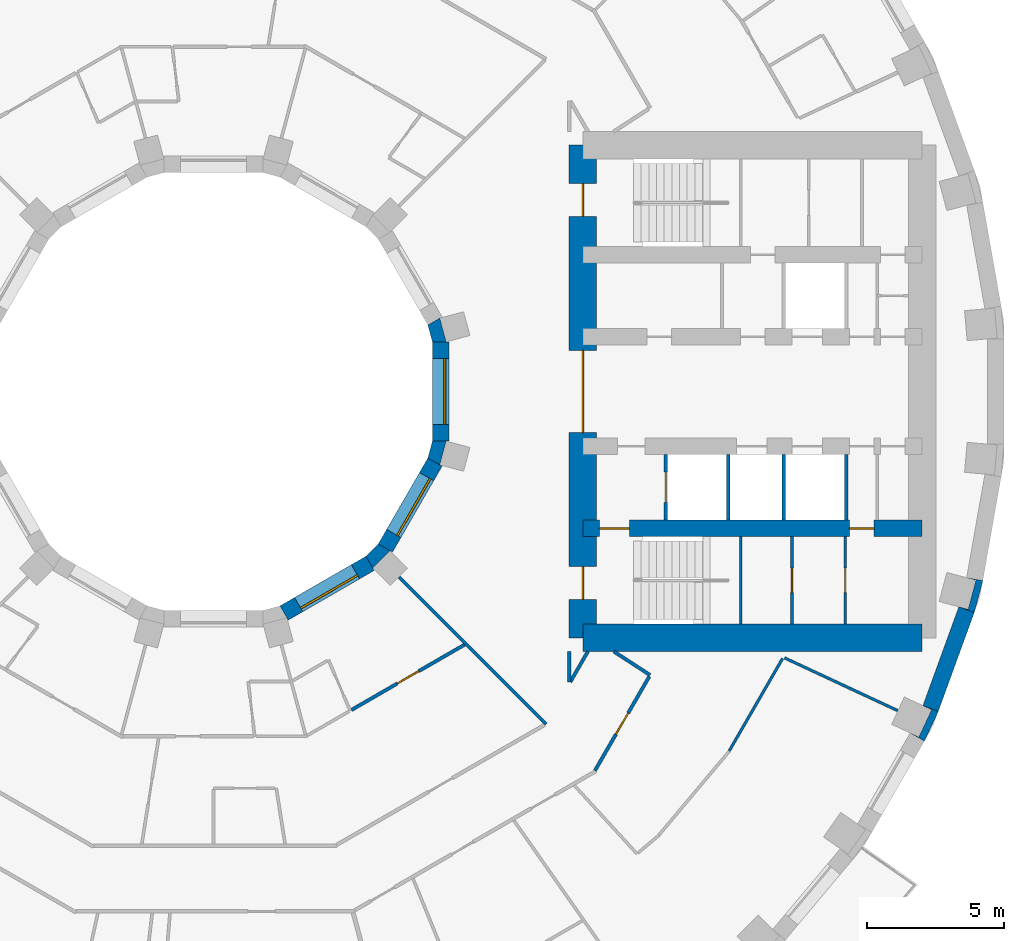
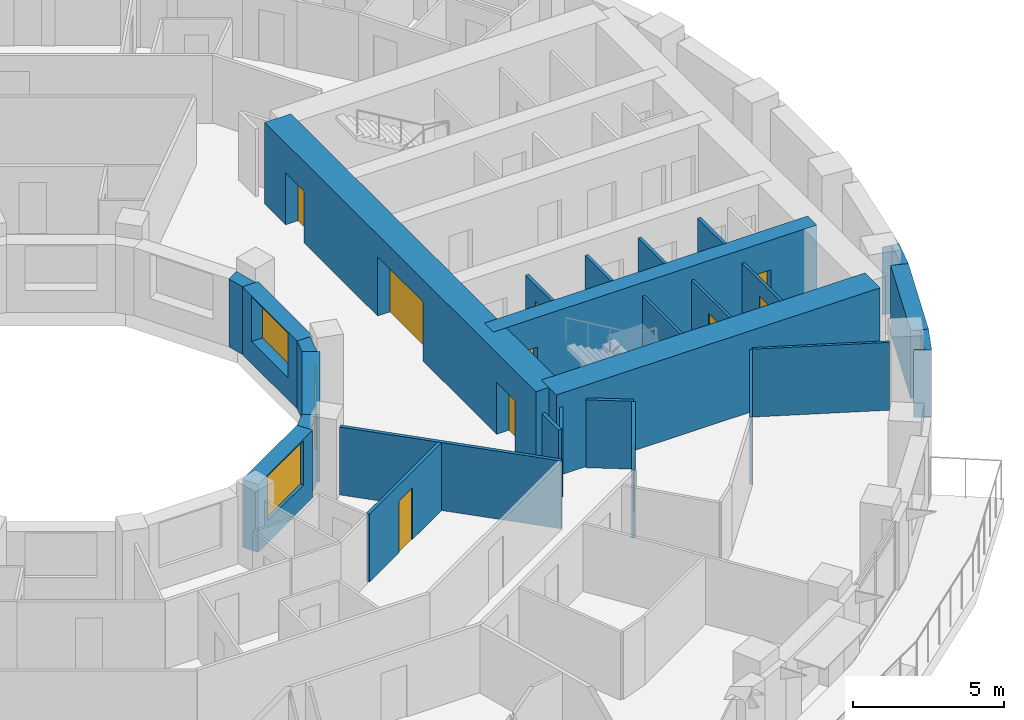
# One storey, part 9 of 17: 27 walls, 10 doors, 3 windows, 13 openings.
"""IFC4 building model written with IfcOpenShell, lengths in metres."""

from ifc_helpers import new_model, si_unit, direction, frame, frame_2d, origin, place, context, subcontext, project, spatial, polyline, rectangle, outline, extrude, material, layer, layer_set, type_object, element, fill, save


model = new_model("IFC4")

# Units and contexts
model_context = context("Model", 3, precision=1e-05, world=origin(), true_north=direction((0.0, 1.0)))
body_context = subcontext(model_context, "Body", "Model", "MODEL_VIEW")
ifc_project = project(units=[si_unit("LENGTHUNIT", "METRE"), si_unit("AREAUNIT", "SQUARE_METRE"), si_unit("VOLUMEUNIT", "CUBIC_METRE"), si_unit("PLANEANGLEUNIT", "RADIAN"), si_unit("MASSUNIT", "GRAM", prefix="KILO")], contexts=[model_context])

# Site, building, storey
site_placement = place(None, origin())
site = spatial("IfcSite", under=ifc_project, at=site_placement, CompositionType="ELEMENT")
building_placement = place(site_placement, origin())
building = spatial("IfcBuilding", under=site, at=building_placement, Name="Saqina Gate Tower", CompositionType="ELEMENT")
storey_placement = place(building_placement, frame((0.0, 0.0, 29.60009765625)))
storey = spatial("IfcBuildingStorey", under=building, at=storey_placement, Name="L07", CompositionType="ELEMENT", Elevation=29.60009765625)

# Walls
ifc_material_1 = material(Name="Brick masonry (red)", Category="masonry")
wall_type_1 = type_object("IfcWallType", Name="BRICK PIER COPING RED", PredefinedType="SOLIDWALL", material=ifc_material_1)
wall_1_placement = place(storey_placement, origin())
element("IfcWall", 1, at=wall_1_placement, inside=storey, type_object=wall_type_1, Name="Pier cap L07 column 34", PredefinedType="SOLIDWALL", context=body_context, shape_type="SweptSolid", body=[
    extrude(outline(polyline([(26.48974609375, -11.687744140625), (25.92578125, -11.482666015625), (26.243408203125, -11.630615234375), (25.778564453125, -12.627685546875), (25.4609375, -12.4794921875), (25.980712890625, -12.779541015625), (26.48974609375, -11.687744140625)])), origin(), (0.0, 0.0, 1.0), 2.75),
])
wall_2_placement = place(storey_placement, origin())
element("IfcWall", 2, at=wall_2_placement, inside=storey, type_object=wall_type_1, Name="Pier cap L07 column 35", PredefinedType="SOLIDWALL", context=body_context, shape_type="SweptSolid", body=[
    extrude(outline(polyline([(28.11669921875, -6.910400390625), (27.52587890625, -6.80615234375), (27.864501953125, -6.896728515625), (27.57958984375, -7.95947265625), (27.2412109375, -7.86865234375), (27.80517578125, -8.073974609375), (28.11669921875, -6.910400390625)])), origin(), (0.0, 0.0, 1.0), 2.75),
])

# Wall, opening, door
ifc_material_2 = material(Name="Gypsum board on steel studs", Category="steel")
ifc_layer_1 = layer(ifc_material_2, 0.10009765625)
ifc_layer_set_1 = layer_set([ifc_layer_1], Name="CORE PARTITION")
wall_type_2 = type_object("IfcWallType", Name="CORE PARTITION", PredefinedType="PARTITIONING", material=ifc_layer_set_1)
wall_3_placement = place(storey_placement, frame((21.14404296875, -8.5, 0.0), z_axis=(0.0, 0.0, 1.0), x_axis=(0.0, 1.0, 0.0)))
wall_3 = element("IfcWall", 3, at=wall_3_placement, inside=storey, type_object=wall_type_2, Name="L07-CP-E15", PredefinedType="PARTITIONING", context=body_context, shape_type="SweptSolid", body=[
    extrude(rectangle(XDim=3.199951171875, YDim=0.10009765625, at=frame_2d((1.60009765625, 0.0))), origin(), (0.0, 0.0, 1.0), 2.75),
])
opening_1_placement = place(wall_3_placement, frame((1.14990234375, 0.0, 0.0)))
opening_1 = element("IfcOpeningElement", 4, at=opening_1_placement, cuts=wall_3, Name="Opening G01-D129", PredefinedType="OPENING", context=body_context, shape_type="SweptSolid", body=[
    extrude(rectangle(XDim=0.89990234375, YDim=2.10009765625, at=frame_2d((0.449951171875, 1.050048828125))), frame((0.0, 0.06201171875, 0.0), z_axis=(0.0, -1.0, 0.0), x_axis=(1.0, 0.0, 0.0)), (0.0, 0.0, 1.0), 0.1240234375),
])
ifc_material_3 = material(Name="Steel-framed fire door leaf, EI 60", Category="steel")
door_type_1 = type_object("IfcDoorType", Name="SERVICE ROOM DOOR 900", OperationType="SINGLE_SWING_LEFT", PredefinedType="DOOR", material=ifc_material_3)
door_1_placement = place(opening_1_placement, frame((0.89990234375, 0.0, 0.0), z_axis=(0.0, 0.0, 1.0), x_axis=(-1.0, 0.0, 0.0)))
door_1 = element("IfcDoor", 5, at=door_1_placement, inside=storey, type_object=door_type_1, Name="L07-CD-E13", OperationType="SINGLE_SWING_RIGHT", OverallHeight=2.10009765625, OverallWidth=0.89990234375, PredefinedType="DOOR", context=body_context, shape_type="SweptSolid", body=[
    extrude(rectangle(XDim=0.89990234375, YDim=2.10009765625, at=frame_2d((0.449951171875, 1.050048828125))), frame((0.0, 0.02490234375, 0.0), z_axis=(0.0, -1.0, 0.0), x_axis=(1.0, 0.0, 0.0)), (0.0, 0.0, 1.0), 0.050048828125),
])
fill(opening_1, door_1)

wall_4_placement = place(storey_placement, frame((23.089599609375, -8.5, 0.0), z_axis=(0.0, 0.0, 1.0), x_axis=(0.0, 1.0, 0.0)))
wall_4 = element("IfcWall", 6, at=wall_4_placement, inside=storey, type_object=wall_type_2, Name="L07-CP-E16", PredefinedType="PARTITIONING", context=body_context, shape_type="SweptSolid", body=[
    extrude(rectangle(XDim=3.199951171875, YDim=0.10009765625, at=frame_2d((1.60009765625, 0.0))), origin(), (0.0, 0.0, 1.0), 2.75),
])
opening_2_placement = place(wall_4_placement, frame((1.14990234375, 0.0, 0.0)))
opening_2 = element("IfcOpeningElement", 7, at=opening_2_placement, cuts=wall_4, Name="Opening G01-D128", PredefinedType="OPENING", context=body_context, shape_type="SweptSolid", body=[
    extrude(rectangle(XDim=0.89990234375, YDim=2.10009765625, at=frame_2d((0.449951171875, 1.050048828125))), frame((0.0, 0.06201171875, 0.0), z_axis=(0.0, -1.0, 0.0), x_axis=(1.0, 0.0, 0.0)), (0.0, 0.0, 1.0), 0.1240234375),
])
door_2_placement = place(opening_2_placement, frame((0.89990234375, 0.0, 0.0), z_axis=(0.0, 0.0, 1.0), x_axis=(-1.0, 0.0, 0.0)))
door_2 = element("IfcDoor", 8, at=door_2_placement, inside=storey, type_object=door_type_1, Name="L07-CD-E12", OperationType="SINGLE_SWING_RIGHT", OverallHeight=2.10009765625, OverallWidth=0.89990234375, PredefinedType="DOOR", context=body_context, shape_type="SweptSolid", body=[
    extrude(rectangle(XDim=0.89990234375, YDim=2.10009765625, at=frame_2d((0.449951171875, 1.050048828125))), frame((0.0, 0.02490234375, 0.0), z_axis=(0.0, -1.0, 0.0), x_axis=(1.0, 0.0, 0.0)), (0.0, 0.0, 1.0), 0.050048828125),
])
fill(opening_2, door_2)

# Wall
ifc_material_4 = material(Name="Glazed ceramic tile", Category="ceramic")
ifc_layer_2 = layer(ifc_material_4, 0.60009765625)
ifc_layer_set_2 = layer_set([ifc_layer_2], Name="FW-TILE")
wall_type_3 = type_object("IfcWallType", Name="FW-TILE", PredefinedType="SOLIDWALL", material=ifc_layer_set_2)
wall_5_placement = place(storey_placement, frame((26.207763671875, -11.585205078125, 0.0), z_axis=(0.0, 0.0, 1.0), x_axis=(0.342028474173, 0.939689588564, 0.0)))
element("IfcWall", 9, at=wall_5_placement, inside=storey, type_object=wall_type_3, Name="Facade wall L07 facet 34", PredefinedType="SOLIDWALL", context=body_context, shape_type="SweptSolid", body=[
    extrude(rectangle(XDim=3.845947265625, YDim=0.60009765625, at=frame_2d((1.9228515625, 0.0))), origin(), (0.0, 0.0, 1.0), 2.75),
])

# Wall, opening, window
ifc_material_5 = material(Name="Glazed ceramic tile", Category="ceramic")
ifc_layer_3 = layer(ifc_material_5, 0.60009765625)
ifc_layer_set_3 = layer_set([ifc_layer_3], Name="IW-TILE")
wall_type_4 = type_object("IfcWallType", Name="IW-TILE", PredefinedType="SOLIDWALL", material=ifc_layer_set_3)
wall_6_placement = place(storey_placement, frame((2.580322265625, -8.09423828125, 0.0), z_axis=(0.0, 0.0, 1.0), x_axis=(0.866029693906, 0.499992569217, 0.0)))
wall_6 = element("IfcWall", 10, at=wall_6_placement, inside=storey, type_object=wall_type_4, Name="Well wall L07 facet 10", PredefinedType="SOLIDWALL", context=body_context, shape_type="SweptSolid", body=[
    extrude(rectangle(XDim=3.625, YDim=0.60009765625, at=frame_2d((1.8125, 0.0))), origin(), (0.0, 0.0, 1.0), 2.75),
])
opening_3_placement = place(wall_6_placement, frame((0.612548828125, 0.0, 0.89990234375)))
opening_3 = element("IfcOpeningElement", 11, at=opening_3_placement, cuts=wall_6, Name="Opening G01-W32", PredefinedType="OPENING", context=body_context, shape_type="SweptSolid", body=[
    extrude(rectangle(XDim=2.39990234375, YDim=1.800048828125, at=frame_2d((1.199951171875, 0.89990234375))), frame((0.0, 0.31201171875, 0.0), z_axis=(0.0, -1.0, 0.0), x_axis=(1.0, 0.0, 0.0)), (0.0, 0.0, 1.0), 0.6240234375),
])
ifc_material_6 = material(Name="Aluminium glazing", Category="aluminium")
window_type = type_object("IfcWindowType", Name="WN-W", PartitioningType="SINGLE_PANEL", PredefinedType="WINDOW", material=ifc_material_6)
window_1_placement = place(opening_3_placement, origin())
window_1 = element("IfcWindow", 12, at=window_1_placement, inside=storey, type_object=window_type, Name="Well window L07 facet 10", OverallHeight=1.800048828125, OverallWidth=2.39990234375, PartitioningType="SINGLE_PANEL", PredefinedType="WINDOW", context=body_context, shape_type="SweptSolid", body=[
    extrude(rectangle(XDim=2.39990234375, YDim=1.800048828125, at=frame_2d((1.199951171875, 0.89990234375))), frame((0.0, -0.119873046875, 0.0), z_axis=(0.0, -1.0, 0.0), x_axis=(1.0, 0.0, 0.0)), (0.0, 0.0, 1.0), 0.06005859375),
])
fill(opening_3, window_1)

wall_7_placement = place(storey_placement, frame((6.28173828125, -5.7197265625, 0.0), z_axis=(0.0, 0.0, 1.0), x_axis=(0.499992569217, 0.866029693906, 0.0)))
wall_7 = element("IfcWall", 13, at=wall_7_placement, inside=storey, type_object=wall_type_4, Name="Well wall L07 facet 11", PredefinedType="SOLIDWALL", context=body_context, shape_type="SweptSolid", body=[
    extrude(rectangle(XDim=3.625, YDim=0.60009765625, at=frame_2d((1.8125, 0.0))), origin(), (0.0, 0.0, 1.0), 2.75),
])
opening_4_placement = place(wall_7_placement, frame((0.612548828125, 0.0, 0.89990234375)))
opening_4 = element("IfcOpeningElement", 14, at=opening_4_placement, cuts=wall_7, Name="Opening G01-W33", PredefinedType="OPENING", context=body_context, shape_type="SweptSolid", body=[
    extrude(rectangle(XDim=2.39990234375, YDim=1.800048828125, at=frame_2d((1.199951171875, 0.89990234375))), frame((0.0, 0.31201171875, 0.0), z_axis=(0.0, -1.0, 0.0), x_axis=(1.0, 0.0, 0.0)), (0.0, 0.0, 1.0), 0.6240234375),
])
window_2_placement = place(opening_4_placement, origin())
window_2 = element("IfcWindow", 15, at=window_2_placement, inside=storey, type_object=window_type, Name="Well window L07 facet 11", OverallHeight=1.800048828125, OverallWidth=2.39990234375, PartitioningType="SINGLE_PANEL", PredefinedType="WINDOW", context=body_context, shape_type="SweptSolid", body=[
    extrude(rectangle(XDim=2.39990234375, YDim=1.800048828125, at=frame_2d((1.199951171875, 0.89990234375))), frame((0.0, -0.119873046875, 0.0), z_axis=(0.0, -1.0, 0.0), x_axis=(1.0, 0.0, 0.0)), (0.0, 0.0, 1.0), 0.06005859375),
])
fill(opening_4, window_2)

wall_8_placement = place(storey_placement, frame((8.300048828125, -1.8125, 0.0), z_axis=(0.0, 0.0, 1.0), x_axis=(0.0, 1.0, 0.0)))
wall_8 = element("IfcWall", 16, at=wall_8_placement, inside=storey, type_object=wall_type_4, Name="Well wall L07 facet 12", PredefinedType="SOLIDWALL", context=body_context, shape_type="SweptSolid", body=[
    extrude(rectangle(XDim=3.625, YDim=0.60009765625, at=frame_2d((1.8125, 0.0))), origin(), (0.0, 0.0, 1.0), 2.75),
])
opening_5_placement = place(wall_8_placement, frame((0.612548828125, 0.0, 0.89990234375)))
opening_5 = element("IfcOpeningElement", 17, at=opening_5_placement, cuts=wall_8, Name="Opening G01-W34", PredefinedType="OPENING", context=body_context, shape_type="SweptSolid", body=[
    extrude(rectangle(XDim=2.39990234375, YDim=1.800048828125, at=frame_2d((1.199951171875, 0.89990234375))), frame((0.0, 0.31201171875, 0.0), z_axis=(0.0, -1.0, 0.0), x_axis=(1.0, 0.0, 0.0)), (0.0, 0.0, 1.0), 0.6240234375),
])
window_3_placement = place(opening_5_placement, origin())
window_3 = element("IfcWindow", 18, at=window_3_placement, inside=storey, type_object=window_type, Name="Well window L07 facet 12", OverallHeight=1.800048828125, OverallWidth=2.39990234375, PartitioningType="SINGLE_PANEL", PredefinedType="WINDOW", context=body_context, shape_type="SweptSolid", body=[
    extrude(rectangle(XDim=2.39990234375, YDim=1.800048828125, at=frame_2d((1.199951171875, 0.89990234375))), frame((0.0, -0.119873046875, 0.0), z_axis=(0.0, -1.0, 0.0), x_axis=(1.0, 0.0, 0.0)), (0.0, 0.0, 1.0), 0.06005859375),
])
fill(opening_5, window_3)

# Walls
ifc_material_7 = material(Name="Gypsum board on steel studs, 100 mm", Category="steel")
ifc_layer_4 = layer(ifc_material_7, 0.10009765625)
ifc_layer_set_4 = layer_set([ifc_layer_4], Name="PARTITION 100")
wall_type_5 = type_object("IfcWallType", Name="PARTITION 100", PredefinedType="PARTITIONING", material=ifc_layer_set_4)
wall_9_placement = place(storey_placement, frame((20.868408203125, -9.734130859375, 0.0), z_axis=(0.0, 0.0, 1.0), x_axis=(0.906374415398, -0.422475347342, 0.0)))
element("IfcWall", 19, at=wall_9_placement, inside=storey, type_object=wall_type_5, Name="PARTITION PW3-46", PredefinedType="PARTITIONING", context=body_context, shape_type="SweptSolid", body=[
    extrude(rectangle(XDim=4.56298828125, YDim=0.10009765625, at=frame_2d((2.281494140625, 0.0))), origin(), (0.0, 0.0, 1.0), 2.75),
])
wall_10_placement = place(storey_placement, frame((18.846923828125, -13.1357421875, 0.0), z_axis=(0.0, 0.0, 1.0), x_axis=(0.499985873194, 0.866033559746, 0.0)))
element("IfcWall", 20, at=wall_10_placement, inside=storey, type_object=wall_type_5, Name="PARTITION PW3-101", PredefinedType="PARTITIONING", context=body_context, shape_type="SweptSolid", body=[
    extrude(rectangle(XDim=3.904296875, YDim=0.10009765625, at=frame_2d((1.9521484375, 0.0))), origin(), (0.0, 0.0, 1.0), 2.75),
])
ifc_material_8 = material(Name="Gypsum board on steel studs, 125 mm, fire rated", Category="steel")
ifc_layer_5 = layer(ifc_material_8, 0.125)
ifc_layer_set_5 = layer_set([ifc_layer_5], Name="PARTITION EI 30 125")
wall_type_6 = type_object("IfcWallType", Name="PARTITION EI 30 125", PredefinedType="PARTITIONING", material=ifc_layer_set_5)
wall_11_placement = place(storey_placement, frame((6.78271484375, -6.78271484375, 0.0), z_axis=(0.0, 0.0, 1.0), x_axis=(0.707106781187, -0.707106781187, 0.0)))
element("IfcWall", 21, at=wall_11_placement, inside=storey, type_object=wall_type_6, Name="PARTITION PW1-09", PredefinedType="PARTITIONING", context=body_context, shape_type="SweptSolid", body=[
    extrude(rectangle(XDim=7.593505859375, YDim=0.125, at=frame_2d((3.796875, 0.0))), origin(), (0.0, 0.0, 1.0), 2.75),
])
wall_12_placement = place(storey_placement, frame((14.62890625, -9.5, 0.0), z_axis=(0.0, 0.0, 1.0), x_axis=(0.838795721465, -0.544446267002, 0.0)))
element("IfcWall", 22, at=wall_12_placement, inside=storey, type_object=wall_type_6, Name="PARTITION PW1-12", PredefinedType="PARTITIONING", context=body_context, shape_type="SweptSolid", body=[
    extrude(rectangle(XDim=1.583251953125, YDim=0.125, at=frame_2d((0.79150390625, 0.0))), origin(), (0.0, 0.0, 1.0), 2.75),
])

# Wall, opening, door
wall_13_placement = place(storey_placement, frame((5.039306640625, -11.639892578125, 0.0), z_axis=(0.0, 0.0, 1.0), x_axis=(0.866051761422, 0.499954344453, 0.0)))
wall_13 = element("IfcWall", 23, at=wall_13_placement, inside=storey, type_object=wall_type_6, Name="PARTITION PW1-39", PredefinedType="PARTITIONING", context=body_context, shape_type="SweptSolid", body=[
    extrude(rectangle(XDim=4.76953125, YDim=0.125, at=frame_2d((2.384765625, 0.0))), origin(), (0.0, 0.0, 1.0), 2.75),
])
opening_6_placement = place(wall_13_placement, frame((1.94091796875, 0.0, 0.0)))
opening_6 = element("IfcOpeningElement", 24, at=opening_6_placement, cuts=wall_13, Name="Opening G01-D65", PredefinedType="OPENING", context=body_context, shape_type="SweptSolid", body=[
    extrude(rectangle(XDim=0.89990234375, YDim=2.10009765625, at=frame_2d((0.449951171875, 1.050048828125))), frame((0.0, 0.074462890625, 0.0), z_axis=(0.0, -1.0, 0.0), x_axis=(1.0, 0.0, 0.0)), (0.0, 0.0, 1.0), 0.14892578125),
])
ifc_material_9 = material(Name="Fire door leaf EI 30, 900 mm")
door_type_2 = type_object("IfcDoorType", Name="DOOR 900 EI 30", OperationType="SINGLE_SWING_LEFT", PredefinedType="DOOR", material=ifc_material_9)
door_3_placement = place(opening_6_placement, frame((0.89990234375, 0.0, 0.0), z_axis=(0.0, 0.0, 1.0), x_axis=(-1.0, 0.0, 0.0)))
door_3 = element("IfcDoor", 25, at=door_3_placement, inside=storey, type_object=door_type_2, Name="DOOR G01-D65", OperationType="SINGLE_SWING_LEFT", OverallHeight=2.10009765625, OverallWidth=0.89990234375, PredefinedType="DOOR", context=body_context, shape_type="SweptSolid", body=[
    extrude(rectangle(XDim=0.89990234375, YDim=2.10009765625, at=frame_2d((0.449951171875, 1.050048828125))), frame((0.0, 0.02490234375, 0.0), z_axis=(0.0, -1.0, 0.0), x_axis=(1.0, 0.0, 0.0)), (0.0, 0.0, 1.0), 0.050048828125),
])
fill(opening_6, door_3)

wall_14_placement = place(storey_placement, frame((13.940185546875, -13.85498046875, 0.0), z_axis=(0.0, 0.0, 1.0), x_axis=(0.500020477838, 0.866013580576, 0.0)))
wall_14 = element("IfcWall", 26, at=wall_14_placement, inside=storey, type_object=wall_type_6, Name="PARTITION PW1-49", PredefinedType="PARTITIONING", context=body_context, shape_type="SweptSolid", body=[
    extrude(rectangle(XDim=3.970947265625, YDim=0.125, at=frame_2d((1.9853515625, 0.0))), origin(), (0.0, 0.0, 1.0), 2.75),
])
opening_7_placement = place(wall_14_placement, frame((1.535400390625, 0.0, 0.0)))
opening_7 = element("IfcOpeningElement", 27, at=opening_7_placement, cuts=wall_14, Name="Opening G01-D67", PredefinedType="OPENING", context=body_context, shape_type="SweptSolid", body=[
    extrude(rectangle(XDim=0.89990234375, YDim=2.10009765625, at=frame_2d((0.449951171875, 1.050048828125))), frame((0.0, 0.074462890625, 0.0), z_axis=(0.0, -1.0, 0.0), x_axis=(1.0, 0.0, 0.0)), (0.0, 0.0, 1.0), 0.14892578125),
])
door_4_placement = place(opening_7_placement, frame((0.89990234375, 0.0, 0.0), z_axis=(0.0, 0.0, 1.0), x_axis=(-1.0, 0.0, 0.0)))
door_4 = element("IfcDoor", 28, at=door_4_placement, inside=storey, type_object=door_type_2, Name="DOOR G01-D67", OperationType="SINGLE_SWING_LEFT", OverallHeight=2.10009765625, OverallWidth=0.89990234375, PredefinedType="DOOR", context=body_context, shape_type="SweptSolid", body=[
    extrude(rectangle(XDim=0.89990234375, YDim=2.10009765625, at=frame_2d((0.449951171875, 1.050048828125))), frame((0.0, 0.02490234375, 0.0), z_axis=(0.0, -1.0, 0.0), x_axis=(1.0, 0.0, 0.0)), (0.0, 0.0, 1.0), 0.050048828125),
])
fill(opening_7, door_4)

# Walls
wall_15_placement = place(storey_placement, frame((13.0400390625, -10.61376953125, 0.0), z_axis=(0.0, 0.0, 1.0), x_axis=(0.500018234033, 0.866014876105, 0.0)))
element("IfcWall", 29, at=wall_15_placement, inside=storey, type_object=wall_type_6, Name="PARTITION PW1-50", PredefinedType="PARTITIONING", context=body_context, shape_type="SweptSolid", body=[
    extrude(rectangle(XDim=1.2861328125, YDim=0.125, at=frame_2d((0.64306640625, 0.0))), origin(), (0.0, 0.0, 1.0), 2.75),
])
wall_16_placement = place(storey_placement, frame((13.0, -10.62060546875, 0.0), z_axis=(0.0, 0.0, 1.0), x_axis=(0.0, 1.0, 0.0)))
element("IfcWall", 30, at=wall_16_placement, inside=storey, type_object=wall_type_6, Name="PARTITION PW1-53", PredefinedType="PARTITIONING", context=body_context, shape_type="SweptSolid", body=[
    extrude(rectangle(XDim=1.12060546875, YDim=0.125, at=frame_2d((0.560302734375, 0.0))), origin(), (0.0, 0.0, 1.0), 2.75),
])

# Wall, opening, door
ifc_material_10 = material(Name="Autoclaved aerated concrete block", Category="concrete")
ifc_layer_6 = layer(ifc_material_10, 0.1201171875)
ifc_layer_set_6 = layer_set([ifc_layer_6], Name="SHAFT PARTITION")
wall_type_7 = type_object("IfcWallType", Name="SHAFT PARTITION", PredefinedType="PARTITIONING", material=ifc_layer_set_6)
wall_17_placement = place(storey_placement, frame((16.530029296875, -4.699951171875, 0.0), z_axis=(0.0, 0.0, 1.0), x_axis=(0.0, 1.0, 0.0)))
wall_17 = element("IfcWall", 31, at=wall_17_placement, inside=storey, type_object=wall_type_7, Name="L07-CP-E05", PredefinedType="PARTITIONING", context=body_context, shape_type="SweptSolid", body=[
    extrude(rectangle(XDim=2.39990234375, YDim=0.1201171875, at=frame_2d((1.199951171875, 0.0))), origin(), (0.0, 0.0, 1.0), 2.75),
])
opening_8_placement = place(wall_17_placement, frame((0.64990234375, 0.0, 0.0)))
opening_8 = element("IfcOpeningElement", 32, at=opening_8_placement, cuts=wall_17, Name="Opening G01-LD2", PredefinedType="OPENING", context=body_context, shape_type="SweptSolid", body=[
    extrude(rectangle(XDim=1.10009765625, YDim=2.10009765625, at=frame_2d((0.550048828125, 1.050048828125))), frame((0.0, 0.072021484375, 0.0), z_axis=(0.0, -1.0, 0.0), x_axis=(1.0, 0.0, 0.0)), (0.0, 0.0, 1.0), 0.14404296875),
])
ifc_material_11 = material(Name="Stainless steel", Category="steel")
door_type_3 = type_object("IfcDoorType", Name="LANDING DOOR", OperationType="DOUBLE_DOOR_SLIDING", PredefinedType="DOOR", material=ifc_material_11)
door_5_placement = place(opening_8_placement, origin())
door_5 = element("IfcDoor", 33, at=door_5_placement, inside=storey, type_object=door_type_3, Name="LANDING DOOR FF1", OperationType="DOUBLE_DOOR_SLIDING", OverallHeight=2.10009765625, OverallWidth=1.10009765625, PredefinedType="DOOR", context=body_context, shape_type="SweptSolid", body=[
    extrude(rectangle(XDim=1.10009765625, YDim=2.10009765625, at=frame_2d((0.550048828125, 1.050048828125))), frame((0.0, 0.02490234375, 0.0), z_axis=(0.0, -1.0, 0.0), x_axis=(1.0, 0.0, 0.0)), (0.0, 0.0, 1.0), 0.050048828125),
])
fill(opening_8, door_5)

# Walls
for number, where, z_axis, x_axis, name in (
    (34, (18.81005859375, -4.699951171875, 0.0), (0.0, 0.0, 1.0), (0.0, 1.0, 0.0), "L07-CP-E06"),
    (35, (20.840087890625, -4.699951171875, 0.0), (0.0, 0.0, 1.0), (0.0, 1.0, 0.0), "L07-CP-E07"),
    (36, (23.1201171875, -4.699951171875, 0.0), (0.0, 0.0, 1.0), (0.0, 1.0, 0.0), "L07-CP-E08"),
):
    element("IfcWall", number, at=place(storey_placement, frame(where, z_axis=z_axis, x_axis=x_axis)), inside=storey, type_object=wall_type_7, Name=name, PredefinedType="PARTITIONING", context=body_context, shape_type="SweptSolid", body=[
        extrude(rectangle(XDim=2.39990234375, YDim=0.1201171875, at=frame_2d((1.199951171875, 0.0))), origin(), (0.0, 0.0, 1.0), 2.75),
    ])
ifc_material_12 = material(Name="Autoclaved aerated concrete block", Category="concrete")
ifc_layer_7 = layer(ifc_material_12, 0.10009765625)
ifc_layer_set_7 = layer_set([ifc_layer_7], Name="STAIR ENCLOSURE WALL")
wall_type_8 = type_object("IfcWallType", Name="STAIR ENCLOSURE WALL", PredefinedType="PARTITIONING", material=ifc_layer_set_7)
wall_18_placement = place(storey_placement, frame((19.27001953125, -8.5, 0.0), z_axis=(0.0, 0.0, 1.0), x_axis=(0.0, 1.0, 0.0)))
element("IfcWall", 37, at=wall_18_placement, inside=storey, type_object=wall_type_8, Name="L07-CP-E14", PredefinedType="PARTITIONING", context=body_context, shape_type="SweptSolid", body=[
    extrude(rectangle(XDim=3.199951171875, YDim=0.10009765625, at=frame_2d((1.60009765625, 0.0))), origin(), (0.0, 0.0, 1.0), 2.75),
])

# Wall, openings, doors
ifc_material_13 = material(Name="Concrete C70/85", Category="concrete")
ifc_layer_8 = layer(ifc_material_13, 0.60009765625)
ifc_layer_set_8 = layer_set([ifc_layer_8], Name="Concrete C70/85")
wall_type_9 = type_object("IfcWallType", Name="STR-CORE WALL-A-I", PredefinedType="SHEAR", material=ifc_layer_set_8)
wall_19_placement = place(storey_placement, frame((13.5, -5.0, 0.0), z_axis=(0.0, 0.0, 1.0), x_axis=(1.0, 0.0, 0.0)))
wall_19 = element("IfcWall", 38, at=wall_19_placement, inside=storey, type_object=wall_type_9, Name="CORE WALL L07 E-X2", PredefinedType="SHEAR", context=body_context, shape_type="SweptSolid", body=[
    extrude(rectangle(XDim=12.39990234375, YDim=0.60009765625, at=frame_2d((6.199951171875, 0.0))), origin(), (0.0, 0.0, 1.0), 3.2998046875),
])
opening_9_placement = place(wall_19_placement, frame((9.739990234375, 0.0, 0.0)))
opening_9 = element("IfcOpeningElement", 39, at=opening_9_placement, cuts=wall_19, Name="Opening G01-D130", PredefinedType="OPENING", context=body_context, shape_type="SweptSolid", body=[
    extrude(rectangle(XDim=0.89990234375, YDim=2.10009765625, at=frame_2d((0.449951171875, 1.050048828125))), frame((0.0, 0.31201171875, 0.0), z_axis=(0.0, -1.0, 0.0), x_axis=(1.0, 0.0, 0.0)), (0.0, 0.0, 1.0), 0.6240234375),
])
opening_10_placement = place(wall_19_placement, frame((0.60009765625, 0.0, 0.0)))
opening_10 = element("IfcOpeningElement", 40, at=opening_10_placement, cuts=wall_19, Name="Opening G01-D104", PredefinedType="OPENING", context=body_context, shape_type="SweptSolid", body=[
    extrude(rectangle(XDim=1.10009765625, YDim=2.10009765625, at=frame_2d((0.550048828125, 1.050048828125))), frame((0.0, 0.31201171875, 0.0), z_axis=(0.0, -1.0, 0.0), x_axis=(1.0, 0.0, 0.0)), (0.0, 0.0, 1.0), 0.6240234375),
])
ifc_material_14 = material(Name="Steel", Category="steel")
door_type_4 = type_object("IfcDoorType", Name="FIRE LOBBY DOOR EI 60 WIDE", OperationType="SINGLE_SWING_LEFT", PredefinedType="DOOR", material=ifc_material_14)
door_6_placement = place(opening_10_placement, frame((1.10009765625, 0.0, 0.0), z_axis=(0.0, 0.0, 1.0), x_axis=(-1.0, 0.0, 0.0)))
door_6 = element("IfcDoor", 41, at=door_6_placement, inside=storey, type_object=door_type_4, Name="L07-CD-E15", OperationType="SINGLE_SWING_RIGHT", OverallHeight=2.10009765625, OverallWidth=1.10009765625, PredefinedType="DOOR", context=body_context, shape_type="SweptSolid", body=[
    extrude(rectangle(XDim=1.10009765625, YDim=2.10009765625, at=frame_2d((0.550048828125, 1.050048828125))), frame((0.0, 0.02490234375, 0.0), z_axis=(0.0, -1.0, 0.0), x_axis=(1.0, 0.0, 0.0)), (0.0, 0.0, 1.0), 0.050048828125),
])
fill(opening_10, door_6)
door_7_placement = place(opening_9_placement, frame((0.89990234375, 0.0, 0.0), z_axis=(0.0, 0.0, 1.0), x_axis=(-1.0, 0.0, 0.0)))
door_7 = element("IfcDoor", 42, at=door_7_placement, inside=storey, type_object=door_type_1, Name="L07-CD-E14", OperationType="SINGLE_SWING_RIGHT", OverallHeight=2.10009765625, OverallWidth=0.89990234375, PredefinedType="DOOR", context=body_context, shape_type="SweptSolid", body=[
    extrude(rectangle(XDim=0.89990234375, YDim=2.10009765625, at=frame_2d((0.449951171875, 1.050048828125))), frame((0.0, 0.02490234375, 0.0), z_axis=(0.0, -1.0, 0.0), x_axis=(1.0, 0.0, 0.0)), (0.0, 0.0, 1.0), 0.050048828125),
])
fill(opening_9, door_7)

ifc_material_15 = material(Name="Concrete C70/85", Category="concrete")
ifc_layer_9 = layer(ifc_material_15, 1.0)
ifc_layer_set_9 = layer_set([ifc_layer_9], Name="Concrete C70/85")
wall_type_10 = type_object("IfcWallType", Name="STR-CORE WALL-A-O", PredefinedType="SHEAR", material=ifc_layer_set_9)
wall_20_placement = place(storey_placement, frame((13.5, -9.0, 0.0), z_axis=(0.0, 0.0, 1.0), x_axis=(0.0, 1.0, 0.0)))
wall_20 = element("IfcWall", 43, at=wall_20_placement, inside=storey, type_object=wall_type_10, Name="CORE WALL L07 E-W1", PredefinedType="SHEAR", context=body_context, shape_type="SweptSolid", body=[
    extrude(rectangle(XDim=18.0, YDim=1.0, at=frame_2d((9.0, 0.0))), origin(), (0.0, 0.0, 1.0), 3.2998046875),
])
opening_11_placement = place(wall_20_placement, frame((15.39990234375, 0.0, 0.0)))
opening_11 = element("IfcOpeningElement", 44, at=opening_11_placement, cuts=wall_20, Name="Opening G01-D105", PredefinedType="OPENING", context=body_context, shape_type="SweptSolid", body=[
    extrude(rectangle(XDim=1.199951171875, YDim=2.10009765625, at=frame_2d((0.60009765625, 1.050048828125))), frame((0.0, 0.511962890625, 0.0), z_axis=(0.0, -1.0, 0.0), x_axis=(1.0, 0.0, 0.0)), (0.0, 0.0, 1.0), 1.02392578125),
])
opening_12_placement = place(wall_20_placement, frame((1.39990234375, 0.0, 0.0)))
opening_12 = element("IfcOpeningElement", 45, at=opening_12_placement, cuts=wall_20, Name="Opening G01-D106", PredefinedType="OPENING", context=body_context, shape_type="SweptSolid", body=[
    extrude(rectangle(XDim=1.199951171875, YDim=2.10009765625, at=frame_2d((0.60009765625, 1.050048828125))), frame((0.0, 0.511962890625, 0.0), z_axis=(0.0, -1.0, 0.0), x_axis=(1.0, 0.0, 0.0)), (0.0, 0.0, 1.0), 1.02392578125),
])
opening_13_placement = place(wall_20_placement, frame((7.5, 0.0, 0.0)))
opening_13 = element("IfcOpeningElement", 46, at=opening_13_placement, cuts=wall_20, Name="Opening G01-D107", PredefinedType="OPENING", context=body_context, shape_type="SweptSolid", body=[
    extrude(rectangle(XDim=3.0, YDim=2.39990234375, at=frame_2d((1.5, 1.199951171875))), frame((0.0, 0.511962890625, 0.0), z_axis=(0.0, -1.0, 0.0), x_axis=(1.0, 0.0, 0.0)), (0.0, 0.0, 1.0), 1.02392578125),
])
ifc_material_16 = material(Name="Steel", Category="steel")
door_type_5 = type_object("IfcDoorType", Name="FIRE DOOR EI 60", OperationType="SINGLE_SWING_LEFT", PredefinedType="DOOR", material=ifc_material_16)
door_8_placement = place(opening_11_placement, frame((1.199951171875, 0.0, 0.0), z_axis=(0.0, 0.0, 1.0), x_axis=(-1.0, 0.0, 0.0)))
door_8 = element("IfcDoor", 47, at=door_8_placement, inside=storey, type_object=door_type_5, Name="L07-CD-E16", OperationType="SINGLE_SWING_LEFT", OverallHeight=2.10009765625, OverallWidth=1.199951171875, PredefinedType="DOOR", context=body_context, shape_type="SweptSolid", body=[
    extrude(rectangle(XDim=1.199951171875, YDim=2.10009765625, at=frame_2d((0.60009765625, 1.050048828125))), frame((0.0, 0.02490234375, 0.0), z_axis=(0.0, -1.0, 0.0), x_axis=(1.0, 0.0, 0.0)), (0.0, 0.0, 1.0), 0.050048828125),
])
fill(opening_11, door_8)
door_9_placement = place(opening_12_placement, frame((1.199951171875, 0.0, 0.0), z_axis=(0.0, 0.0, 1.0), x_axis=(-1.0, 0.0, 0.0)))
door_9 = element("IfcDoor", 48, at=door_9_placement, inside=storey, type_object=door_type_5, Name="L07-CD-E17", OperationType="SINGLE_SWING_RIGHT", OverallHeight=2.10009765625, OverallWidth=1.199951171875, PredefinedType="DOOR", context=body_context, shape_type="SweptSolid", body=[
    extrude(rectangle(XDim=1.199951171875, YDim=2.10009765625, at=frame_2d((0.60009765625, 1.050048828125))), frame((0.0, 0.02490234375, 0.0), z_axis=(0.0, -1.0, 0.0), x_axis=(1.0, 0.0, 0.0)), (0.0, 0.0, 1.0), 0.050048828125),
])
fill(opening_12, door_9)
ifc_material_17 = material(Name="Steel and fire-resisting glass", Category="steel")
door_type_6 = type_object("IfcDoorType", Name="LOBBY SCREEN DOOR", OperationType="DOUBLE_DOOR_SLIDING", PredefinedType="DOOR", material=ifc_material_17)
door_10_placement = place(opening_13_placement, origin())
door_10 = element("IfcDoor", 49, at=door_10_placement, inside=storey, type_object=door_type_6, Name="L07-CD-E18", OperationType="DOUBLE_DOOR_SLIDING", OverallHeight=2.39990234375, OverallWidth=3.0, PredefinedType="DOOR", context=body_context, shape_type="SweptSolid", body=[
    extrude(rectangle(XDim=3.0, YDim=2.39990234375, at=frame_2d((1.5, 1.199951171875))), frame((0.0, 0.02490234375, 0.0), z_axis=(0.0, -1.0, 0.0), x_axis=(1.0, 0.0, 0.0)), (0.0, 0.0, 1.0), 0.050048828125),
])
fill(opening_13, door_10)

# Walls
wall_21_placement = place(storey_placement, frame((13.5, -9.0, 0.0), z_axis=(0.0, 0.0, 1.0), x_axis=(1.0, 0.0, 0.0)))
element("IfcWall", 50, at=wall_21_placement, inside=storey, type_object=wall_type_10, Name="CORE WALL L07 E-SE", PredefinedType="SHEAR", context=body_context, shape_type="SweptSolid", body=[
    extrude(rectangle(XDim=12.39990234375, YDim=1.0, at=frame_2d((6.199951171875, 0.0))), origin(), (0.0, 0.0, 1.0), 3.2998046875),
])
ifc_material_18 = material(Name="Glazed ceramic tile", Category="ceramic")
wall_type_11 = type_object("IfcWallType", Name="TILE PIER COPING", PredefinedType="SOLIDWALL", material=ifc_material_18)
wall_22_placement = place(storey_placement, origin())
element("IfcWall", 51, at=wall_22_placement, inside=storey, type_object=wall_type_11, Name="Well pier cap L07 column 1", PredefinedType="SOLIDWALL", context=body_context, shape_type="SweptSolid", body=[
    extrude(outline(polyline([(8.27001953125, 2.681884765625), (7.83447265625, 2.430419921875), (8.0, 1.8125), (8.502685546875, 1.8125), (8.27001953125, 2.681884765625)])), origin(), (0.0, 0.0, 1.0), 2.75),
])
wall_23_placement = place(storey_placement, origin())
element("IfcWall", 52, at=wall_23_placement, inside=storey, type_object=wall_type_11, Name="Well pier cap L07 column 11", PredefinedType="SOLIDWALL", context=body_context, shape_type="SweptSolid", body=[
    extrude(outline(polyline([(5.821044921875, -6.45751953125), (6.45751953125, -5.821044921875), (6.02197265625, -5.569580078125), (5.569580078125, -6.02197265625), (5.821044921875, -6.45751953125)])), origin(), (0.0, 0.0, 1.0), 2.75),
])
wall_24_placement = place(storey_placement, origin())
element("IfcWall", 53, at=wall_24_placement, inside=storey, type_object=wall_type_11, Name="Well pier cap L07 column 12", PredefinedType="SOLIDWALL", context=body_context, shape_type="SweptSolid", body=[
    extrude(outline(polyline([(8.502685546875, -1.8125), (8.0, -1.8125), (7.83447265625, -2.430419921875), (8.27001953125, -2.681884765625), (8.502685546875, -1.8125)])), origin(), (0.0, 0.0, 1.0), 2.75),
])

save(model, "model.ifc")
